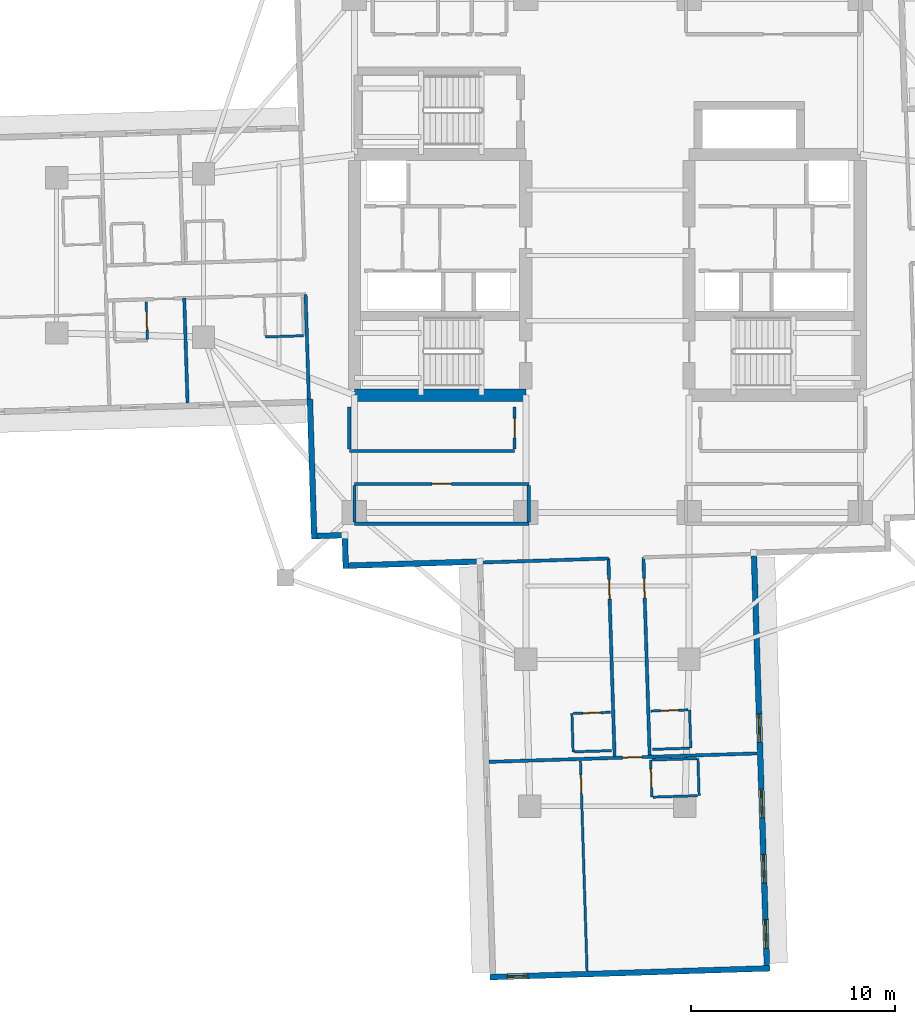
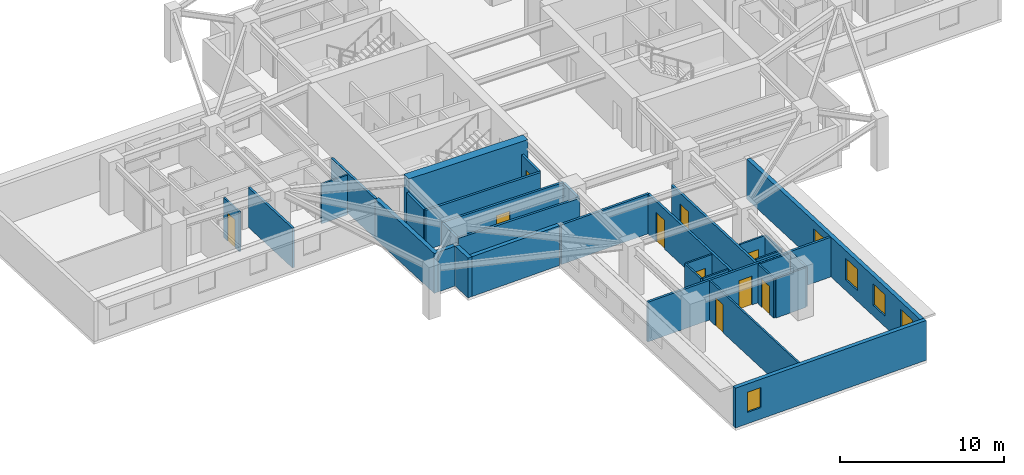
# One storey, part 3 of 14: 33 walls, 10 doors, 5 windows, 15 openings.
"""IFC4 building model written with IfcOpenShell, lengths in metres."""

from ifc_helpers import new_model, si_unit, direction, frame, frame_2d, origin, place, context, subcontext, project, spatial, rectangle, extrude, material, layer, layer_set, type_object, element, fill, save


model = new_model("IFC4")

# Units and contexts
model_context = context("Model", 3, precision=1e-05, world=origin(), true_north=direction((0.0, 1.0)))
body_context = subcontext(model_context, "Body", "Model", "MODEL_VIEW")
ifc_project = project(units=[si_unit("LENGTHUNIT", "METRE"), si_unit("AREAUNIT", "SQUARE_METRE"), si_unit("VOLUMEUNIT", "CUBIC_METRE"), si_unit("PLANEANGLEUNIT", "RADIAN"), si_unit("MASSUNIT", "GRAM", prefix="KILO")], contexts=[model_context])

# Site, building, storey
site_placement = place(None, origin())
site = spatial("IfcSite", under=ifc_project, at=site_placement, CompositionType="ELEMENT")
building_placement = place(site_placement, origin())
building = spatial("IfcBuilding", under=site, at=building_placement, Name="Qingluan Cross Belvedere", CompositionType="ELEMENT")
storey_placement = place(building_placement, frame((0.0, 0.0, 135.89990234375)))
storey = spatial("IfcBuildingStorey", under=building, at=storey_placement, Name="L34", CompositionType="ELEMENT", Elevation=135.89990234375)

# Walls
ifc_material_1 = material(Name="Concrete C60", Category="concrete")
ifc_layer_1 = layer(ifc_material_1, 0.60009765625, Name="CoreShearWall_600")
ifc_layer_set_1 = layer_set([ifc_layer_1], Name="Concrete C60")
wall_type_1 = type_object("IfcWallType", Name="CoreShearWall_600", PredefinedType="SHEAR", material=ifc_layer_set_1)
wall_1_placement = place(storey_placement, frame((-12.39990234375, -6.85009765625, 0.0), z_axis=(0.0, 0.0, 1.0), x_axis=(1.0, 0.0, 0.0)))
element("IfcWall", 1, at=wall_1_placement, inside=storey, type_object=wall_type_1, Name="Split core W shear wall L34-S", PredefinedType="SHEAR", context=body_context, shape_type="SweptSolid", body=[
    extrude(rectangle(XDim=8.39990234375, YDim=0.60009765625, at=frame_2d((4.199951171875, 0.0))), origin(), (0.0, 0.0, 1.0), 3.7001953125),
])
ifc_material_2 = material(Name="Gypsum plasterboard on steel stud acoustic partition", Category="steel")
ifc_layer_2 = layer(ifc_material_2, 0.159912109375, Name="CorridorPartition_160")
ifc_layer_set_2 = layer_set([ifc_layer_2], Name="Gypsum plasterboard on steel stud acoustic partition")
wall_type_2 = type_object("IfcWallType", Name="CorridorPartition_160", PredefinedType="PARTITIONING", material=ifc_layer_set_2)
wall_2_placement = place(storey_placement, frame((-12.39990234375, -13.14990234375, 0.0), z_axis=(0.0, 0.0, 1.0), x_axis=(1.0, 0.0, 0.0)))
element("IfcWall", 2, at=wall_2_placement, inside=storey, type_object=wall_type_2, Name="Partition L34:q_sw:S", PredefinedType="PARTITIONING", context=body_context, shape_type="SweptSolid", body=[
    extrude(rectangle(XDim=8.5498046875, YDim=0.159912109375, at=frame_2d((4.27490234375, 0.0))), origin(), (0.0, 0.0, 1.0), 2.960205078125),
])

# Wall, opening, door
wall_3_placement = place(storey_placement, frame((-12.39990234375, -11.199951171875, 0.0), z_axis=(0.0, 0.0, 1.0), x_axis=(1.0, 0.0, 0.0)))
wall_3 = element("IfcWall", 3, at=wall_3_placement, inside=storey, type_object=wall_type_2, Name="Partition L34:q_sw:N", PredefinedType="PARTITIONING", context=body_context, shape_type="SweptSolid", body=[
    extrude(rectangle(XDim=8.5498046875, YDim=0.159912109375, at=frame_2d((4.27490234375, 0.0))), origin(), (0.0, 0.0, 1.0), 2.960205078125),
])
opening_1_placement = place(wall_3_placement, frame((3.794921875, 0.0, 0.0)))
opening_1 = element("IfcOpeningElement", 4, at=opening_1_placement, cuts=wall_3, Name="Opening GD-10", PredefinedType="OPENING", context=body_context, shape_type="SweptSolid", body=[
    extrude(rectangle(XDim=0.9599609375, YDim=2.14990234375, at=frame_2d((0.47998046875, 1.074951171875))), frame((0.0, 0.08984375, 0.0), z_axis=(0.0, -1.0, 0.0), x_axis=(1.0, 0.0, 0.0)), (0.0, 0.0, 1.0), 0.179931640625),
])
ifc_material_3 = material(Name="Timber oak fire-rated acoustic guestroom door", Category="wood")
door_type_1 = type_object("IfcDoorType", Name="GuestEntryDoor_FD60", OperationType="NOTDEFINED", PredefinedType="DOOR", material=ifc_material_3)
door_1_placement = place(opening_1_placement, origin())
door_1 = element("IfcDoor", 5, at=door_1_placement, inside=storey, type_object=door_type_1, Name="Aromatherapy spa room L34 door", OperationType="SINGLE_SWING_RIGHT", OverallHeight=2.14990234375, OverallWidth=0.9599609375, PredefinedType="DOOR", context=body_context, shape_type="SweptSolid", body=[
    extrude(rectangle(XDim=0.9599609375, YDim=2.14990234375, at=frame_2d((0.47998046875, 1.074951171875))), frame((0.0, 0.02490234375, 0.0), z_axis=(0.0, -1.0, 0.0), x_axis=(1.0, 0.0, 0.0)), (0.0, 0.0, 1.0), 0.050048828125),
])
fill(opening_1, door_1)

# Walls
for number, where, z_axis, x_axis, name in (
    (6, (-12.39990234375, -13.06494140625, 0.0), (0.0, 0.0, 1.0), (0.0, 1.0, 0.0), "Partition L34:q_sw:W"),
    (7, (-3.85009765625, -13.06494140625, 0.0), (0.0, 0.0, 1.0), (0.0, 1.0, 0.0), "Partition L34:q_sw:E"),
):
    element("IfcWall", number, at=place(storey_placement, frame(where, z_axis=z_axis, x_axis=x_axis)), inside=storey, type_object=wall_type_2, Name=name, PredefinedType="PARTITIONING", context=body_context, shape_type="SweptSolid", body=[
        extrude(rectangle(XDim=1.780029296875, YDim=0.159912109375, at=frame_2d((0.89013671875, 0.0))), origin(), (0.0, 0.0, 1.0), 2.960205078125),
    ])
wall_4_placement = place(storey_placement, frame((-12.64990234375, -9.580078125, 0.0), z_axis=(0.0, 0.0, 1.0), x_axis=(1.0, 0.0, 0.0)))
element("IfcWall", 8, at=wall_4_placement, inside=storey, type_object=wall_type_2, Name="Partition L34:rec_st4_w:S", PredefinedType="PARTITIONING", context=body_context, shape_type="SweptSolid", body=[
    extrude(rectangle(XDim=8.099853515625, YDim=0.159912109375, at=frame_2d((4.0498046875, 0.0))), origin(), (0.0, 0.0, 1.0), 2.960205078125),
])
wall_5_placement = place(storey_placement, frame((-12.64990234375, -9.4951171875, 0.0), z_axis=(0.0, 0.0, 1.0), x_axis=(0.0, 1.0, 0.0)))
element("IfcWall", 9, at=wall_5_placement, inside=storey, type_object=wall_type_2, Name="Partition L34:rec_st4_w:W", PredefinedType="PARTITIONING", context=body_context, shape_type="SweptSolid", body=[
    extrude(rectangle(XDim=2.06005859375, YDim=0.159912109375, at=frame_2d((1.030029296875, 0.0))), origin(), (0.0, 0.0, 1.0), 2.960205078125),
])

# Wall, opening, door
wall_6_placement = place(storey_placement, frame((-4.550048828125, -9.4951171875, 0.0), z_axis=(0.0, 0.0, 1.0), x_axis=(0.0, 1.0, 0.0)))
wall_6 = element("IfcWall", 10, at=wall_6_placement, inside=storey, type_object=wall_type_2, Name="Partition L34:rec_st4_w:E", PredefinedType="PARTITIONING", context=body_context, shape_type="SweptSolid", body=[
    extrude(rectangle(XDim=2.06005859375, YDim=0.159912109375, at=frame_2d((1.030029296875, 0.0))), origin(), (0.0, 0.0, 1.0), 2.960205078125),
])
opening_2_placement = place(wall_6_placement, frame((0.550048828125, 0.0, 0.0)))
opening_2 = element("IfcOpeningElement", 11, at=opening_2_placement, cuts=wall_6, Name="Opening GD-10", PredefinedType="OPENING", context=body_context, shape_type="SweptSolid", body=[
    extrude(rectangle(XDim=0.9599609375, YDim=2.14990234375, at=frame_2d((0.47998046875, 1.074951171875))), frame((0.0, 0.08984375, 0.0), z_axis=(0.0, -1.0, 0.0), x_axis=(1.0, 0.0, 0.0)), (0.0, 0.0, 1.0), 0.179931640625),
])
door_2_placement = place(opening_2_placement, origin())
door_2 = element("IfcDoor", 12, at=door_2_placement, inside=storey, type_object=door_type_1, Name="Southwest club reading room L34 door", OperationType="SINGLE_SWING_LEFT", OverallHeight=2.14990234375, OverallWidth=0.9599609375, PredefinedType="DOOR", context=body_context, shape_type="SweptSolid", body=[
    extrude(rectangle(XDim=0.9599609375, YDim=2.14990234375, at=frame_2d((0.47998046875, 1.074951171875))), frame((0.0, 0.02490234375, 0.0), z_axis=(0.0, -1.0, 0.0), x_axis=(1.0, 0.0, 0.0)), (0.0, 0.0, 1.0), 0.050048828125),
])
fill(opening_2, door_2)

# Walls
wall_7_placement = place(storey_placement, frame((-14.79736328125, -1.90576171875, 0.0), z_axis=(0.0, 0.0, 1.0), x_axis=(0.031398124315, -0.999506957349, 0.0)))
element("IfcWall", 13, at=wall_7_placement, inside=storey, type_object=wall_type_2, Name="Partition L34:W:s1", PredefinedType="PARTITIONING", context=body_context, shape_type="SweptSolid", body=[
    extrude(rectangle(XDim=5.1318359375, YDim=0.159912109375, at=frame_2d((2.56591796875, 0.0))), origin(), (0.0, 0.0, 1.0), 2.960205078125),
])
wall_8_placement = place(storey_placement, frame((-20.744384765625, -2.092529296875, 0.0), z_axis=(0.0, 0.0, 1.0), x_axis=(0.031396631422, -0.999507004245, 0.0)))
element("IfcWall", 14, at=wall_8_placement, inside=storey, type_object=wall_type_2, Name="Partition L34:W:d1_0", PredefinedType="PARTITIONING", context=body_context, shape_type="SweptSolid", body=[
    extrude(rectangle(XDim=5.132080078125, YDim=0.159912109375, at=frame_2d((2.56591796875, 0.0))), origin(), (0.0, 0.0, 1.0), 2.960205078125),
])

# Wall, opening, door
wall_9_placement = place(storey_placement, frame((1.765869140625, -14.8017578125, 0.0), z_axis=(0.0, 0.0, 1.0), x_axis=(0.031410762168, -0.999506560269, 0.0)))
wall_9 = element("IfcWall", 15, at=wall_9_placement, inside=storey, type_object=wall_type_2, Name="Partition L34:S:c0", PredefinedType="PARTITIONING", context=body_context, shape_type="SweptSolid", body=[
    extrude(rectangle(XDim=9.7001953125, YDim=0.159912109375, at=frame_2d((4.85009765625, 0.0))), origin(), (0.0, 0.0, 1.0), 2.960205078125),
])
opening_3_placement = place(wall_9_placement, frame((1.032958984375, 0.0, 0.0)))
opening_3 = element("IfcOpeningElement", 16, at=opening_3_placement, cuts=wall_9, Name="Opening GD-10", PredefinedType="OPENING", context=body_context, shape_type="SweptSolid", body=[
    extrude(rectangle(XDim=0.9599609375, YDim=2.14990234375, at=frame_2d((0.47998046875, 1.074951171875))), frame((0.0, 0.08984375, 0.0), z_axis=(0.0, -1.0, 0.0), x_axis=(1.0, 0.0, 0.0)), (0.0, 0.0, 1.0), 0.179931640625),
])
door_3_placement = place(opening_3_placement, origin())
door_3 = element("IfcDoor", 17, at=door_3_placement, inside=storey, type_object=door_type_1, Name="Guest entry fire door 3415", OperationType="SINGLE_SWING_RIGHT", OverallHeight=2.14990234375, OverallWidth=0.9599609375, PredefinedType="DOOR", context=body_context, shape_type="SweptSolid", body=[
    extrude(rectangle(XDim=0.9599609375, YDim=2.14990234375, at=frame_2d((0.47998046875, 1.074951171875))), frame((0.0, 0.02490234375, 0.0), z_axis=(0.0, -1.0, 0.0), x_axis=(1.0, 0.0, 0.0)), (0.0, 0.0, 1.0), 0.050048828125),
])
fill(opening_3, door_3)

wall_10_placement = place(storey_placement, frame((0.046630859375, -14.85595703125, 0.0), z_axis=(0.0, 0.0, 1.0), x_axis=(0.031411552371, -0.999506535435, 0.0)))
wall_10 = element("IfcWall", 18, at=wall_10_placement, inside=storey, type_object=wall_type_2, Name="Partition L34:S:c1", PredefinedType="PARTITIONING", context=body_context, shape_type="SweptSolid", body=[
    extrude(rectangle(XDim=9.699951171875, YDim=0.159912109375, at=frame_2d((4.85009765625, 0.0))), origin(), (0.0, 0.0, 1.0), 2.960205078125),
])
opening_4_placement = place(wall_10_placement, frame((1.032958984375, 0.0, 0.0)))
opening_4 = element("IfcOpeningElement", 19, at=opening_4_placement, cuts=wall_10, Name="Opening GD-10", PredefinedType="OPENING", context=body_context, shape_type="SweptSolid", body=[
    extrude(rectangle(XDim=0.9599609375, YDim=2.14990234375, at=frame_2d((0.47998046875, 1.074951171875))), frame((0.0, 0.08984375, 0.0), z_axis=(0.0, -1.0, 0.0), x_axis=(1.0, 0.0, 0.0)), (0.0, 0.0, 1.0), 0.179931640625),
])
door_4_placement = place(opening_4_placement, origin())
door_4 = element("IfcDoor", 20, at=door_4_placement, inside=storey, type_object=door_type_1, Name="Guest entry fire door 3416", OperationType="SINGLE_SWING_RIGHT", OverallHeight=2.14990234375, OverallWidth=0.9599609375, PredefinedType="DOOR", context=body_context, shape_type="SweptSolid", body=[
    extrude(rectangle(XDim=0.9599609375, YDim=2.14990234375, at=frame_2d((0.47998046875, 1.074951171875))), frame((0.0, 0.02490234375, 0.0), z_axis=(0.0, -1.0, 0.0), x_axis=(1.0, 0.0, 0.0)), (0.0, 0.0, 1.0), 0.050048828125),
])
fill(opening_4, door_4)

# Wall
wall_11_placement = place(storey_placement, frame((0.046630859375, -14.85595703125, 0.0), z_axis=(0.0, 0.0, 1.0), x_axis=(-0.999507224741, -0.031389611199, 0.0)))
element("IfcWall", 21, at=wall_11_placement, inside=storey, type_object=wall_type_2, Name="Partition L34:S:s1", PredefinedType="PARTITIONING", context=body_context, shape_type="SweptSolid", body=[
    extrude(rectangle(XDim=6.300048828125, YDim=0.159912109375, at=frame_2d((3.14990234375, 0.0))), origin(), (0.0, 0.0, 1.0), 2.960205078125),
])

# Wall, opening, door
wall_12_placement = place(storey_placement, frame((-5.795166015625, -24.82421875, 0.0), z_axis=(0.0, 0.0, 1.0), x_axis=(0.999507189267, 0.031390740738, 0.0)))
wall_12 = element("IfcWall", 22, at=wall_12_placement, inside=storey, type_object=wall_type_2, Name="Partition L34:Scap:in", PredefinedType="PARTITIONING", context=body_context, shape_type="SweptSolid", body=[
    extrude(rectangle(XDim=13.14404296875, YDim=0.159912109375, at=frame_2d((6.572021484375, 0.0))), origin(), (0.0, 0.0, 1.0), 2.960205078125),
])
opening_5_placement = place(wall_12_placement, frame((6.531982421875, 0.0, 0.0)))
opening_5 = element("IfcOpeningElement", 23, at=opening_5_placement, cuts=wall_12, Name="Opening GD-10", PredefinedType="OPENING", context=body_context, shape_type="SweptSolid", body=[
    extrude(rectangle(XDim=0.9599609375, YDim=2.14990234375, at=frame_2d((0.47998046875, 1.074951171875))), frame((0.0, 0.08984375, 0.0), z_axis=(0.0, -1.0, 0.0), x_axis=(1.0, 0.0, 0.0)), (0.0, 0.0, 1.0), 0.179931640625),
])
door_5_placement = place(opening_5_placement, origin())
door_5 = element("IfcDoor", 24, at=door_5_placement, inside=storey, type_object=door_type_1, Name="Horizon corner suite door L34S", OperationType="SINGLE_SWING_LEFT", OverallHeight=2.14990234375, OverallWidth=0.9599609375, PredefinedType="DOOR", context=body_context, shape_type="SweptSolid", body=[
    extrude(rectangle(XDim=0.9599609375, YDim=2.14990234375, at=frame_2d((0.47998046875, 1.074951171875))), frame((0.0, 0.02490234375, 0.0), z_axis=(0.0, -1.0, 0.0), x_axis=(1.0, 0.0, 0.0)), (0.0, 0.0, 1.0), 0.050048828125),
])
fill(opening_5, door_5)

# Wall
ifc_material_4 = material(Name="Moisture-resistant gypsum board lining")
ifc_layer_3 = layer(ifc_material_4, 0.1201171875, Name="EnsuiteWetPartition_120")
ifc_layer_set_3 = layer_set([ifc_layer_3], Name="Moisture-resistant gypsum board lining")
wall_type_3 = type_object("IfcWallType", Name="EnsuiteWetPartition_120", PredefinedType="PARTITIONING", material=ifc_layer_set_3)
wall_13_placement = place(storey_placement, frame((-14.893798828125, -3.934814453125, 0.0), z_axis=(0.0, 0.0, 1.0), x_axis=(-0.999505975261, -0.031429371883, 0.0)))
element("IfcWall", 25, at=wall_13_placement, inside=storey, type_object=wall_type_3, Name="Partition L34:W:bc1_0", PredefinedType="PARTITIONING", context=body_context, shape_type="SweptSolid", body=[
    extrude(rectangle(XDim=1.8798828125, YDim=0.1201171875, at=frame_2d((0.93994140625, 0.0))), origin(), (0.0, 0.0, 1.0), 2.960205078125),
])

# Wall, opening, door
wall_14_placement = place(storey_placement, frame((-22.552001953125, -4.1103515625, 0.0), z_axis=(0.0, 0.0, 1.0), x_axis=(-0.031389704724, 0.999507221803, 0.0)))
wall_14 = element("IfcWall", 26, at=wall_14_placement, inside=storey, type_object=wall_type_3, Name="Partition L34:W:bs1_1", PredefinedType="PARTITIONING", context=body_context, shape_type="SweptSolid", body=[
    extrude(rectangle(XDim=1.820068359375, YDim=0.1201171875, at=frame_2d((0.91015625, 0.0))), origin(), (0.0, 0.0, 1.0), 2.960205078125),
])
opening_6_placement = place(wall_14_placement, frame((0.469970703125, 0.0, 0.0)))
opening_6 = element("IfcOpeningElement", 27, at=opening_6_placement, cuts=wall_14, Name="Opening BD-09", PredefinedType="OPENING", context=body_context, shape_type="SweptSolid", body=[
    extrude(rectangle(XDim=0.8798828125, YDim=2.10009765625, at=frame_2d((0.43994140625, 1.050048828125))), frame((0.0, 0.070068359375, 0.0), z_axis=(0.0, -1.0, 0.0), x_axis=(1.0, 0.0, 0.0)), (0.0, 0.0, 1.0), 0.14013671875),
])
ifc_material_5 = material(Name="Moisture-sealed timber en-suite door", Category="wood")
door_type_2 = type_object("IfcDoorType", Name="BathroomDoor_880", OperationType="NOTDEFINED", PredefinedType="DOOR", material=ifc_material_5)
door_6_placement = place(opening_6_placement, origin())
door_6 = element("IfcDoor", 28, at=door_6_placement, inside=storey, type_object=door_type_2, Name="Bathroom door 3410", OperationType="SINGLE_SWING_LEFT", OverallHeight=2.10009765625, OverallWidth=0.8798828125, PredefinedType="DOOR", context=body_context, shape_type="SweptSolid", body=[
    extrude(rectangle(XDim=0.8798828125, YDim=2.10009765625, at=frame_2d((0.43994140625, 1.050048828125))), frame((0.0, 0.02490234375, 0.0), z_axis=(0.0, -1.0, 0.0), x_axis=(1.0, 0.0, 0.0)), (0.0, 0.0, 1.0), 0.050048828125),
])
fill(opening_6, door_6)

wall_15_placement = place(storey_placement, frame((2.142578125, -22.333740234375, 0.0), z_axis=(0.0, 0.0, 1.0), x_axis=(0.999507221803, 0.031389704724, 0.0)))
wall_15 = element("IfcWall", 29, at=wall_15_placement, inside=storey, type_object=wall_type_3, Name="Partition L34:S:bs0_0", PredefinedType="PARTITIONING", context=body_context, shape_type="SweptSolid", body=[
    extrude(rectangle(XDim=1.820068359375, YDim=0.1201171875, at=frame_2d((0.91015625, 0.0))), origin(), (0.0, 0.0, 1.0), 2.960205078125),
])
opening_7_placement = place(wall_15_placement, frame((0.469970703125, 0.0, 0.0)))
opening_7 = element("IfcOpeningElement", 30, at=opening_7_placement, cuts=wall_15, Name="Opening BD-09", PredefinedType="OPENING", context=body_context, shape_type="SweptSolid", body=[
    extrude(rectangle(XDim=0.8798828125, YDim=2.10009765625, at=frame_2d((0.43994140625, 1.050048828125))), frame((0.0, 0.070068359375, 0.0), z_axis=(0.0, -1.0, 0.0), x_axis=(1.0, 0.0, 0.0)), (0.0, 0.0, 1.0), 0.14013671875),
])
door_7_placement = place(opening_7_placement, origin())
door_7 = element("IfcDoor", 31, at=door_7_placement, inside=storey, type_object=door_type_2, Name="Bathroom door 3415", OperationType="SINGLE_SWING_LEFT", OverallHeight=2.10009765625, OverallWidth=0.8798828125, PredefinedType="DOOR", context=body_context, shape_type="SweptSolid", body=[
    extrude(rectangle(XDim=0.8798828125, YDim=2.10009765625, at=frame_2d((0.43994140625, 1.050048828125))), frame((0.0, 0.02490234375, 0.0), z_axis=(0.0, -1.0, 0.0), x_axis=(1.0, 0.0, 0.0)), (0.0, 0.0, 1.0), 0.050048828125),
])
fill(opening_7, door_7)

# Walls
wall_16_placement = place(storey_placement, frame((2.20166015625, -24.212890625, 0.0), z_axis=(0.0, 0.0, 1.0), x_axis=(0.999503004171, 0.03152371574, 0.0)))
element("IfcWall", 32, at=wall_16_placement, inside=storey, type_object=wall_type_3, Name="Partition L34:S:bw0_0", PredefinedType="PARTITIONING", context=body_context, shape_type="SweptSolid", body=[
    extrude(rectangle(XDim=1.820068359375, YDim=0.1201171875, at=frame_2d((0.91015625, 0.0))), origin(), (0.0, 0.0, 1.0), 2.960205078125),
])
wall_17_placement = place(storey_placement, frame((4.026611328125, -22.2744140625, 0.0), z_axis=(0.0, 0.0, 1.0), x_axis=(0.031425292588, -0.999506103526, 0.0)))
element("IfcWall", 33, at=wall_17_placement, inside=storey, type_object=wall_type_3, Name="Partition L34:S:bn0_0", PredefinedType="PARTITIONING", context=body_context, shape_type="SweptSolid", body=[
    extrude(rectangle(XDim=1.880126953125, YDim=0.1201171875, at=frame_2d((0.93994140625, 0.0))), origin(), (0.0, 0.0, 1.0), 2.960205078125),
])

# Wall, opening, door
wall_18_placement = place(storey_placement, frame((-1.675537109375, -22.45361328125, 0.0), z_axis=(0.0, 0.0, 1.0), x_axis=(0.999507221803, 0.031389704724, 0.0)))
wall_18 = element("IfcWall", 34, at=wall_18_placement, inside=storey, type_object=wall_type_3, Name="Partition L34:S:bs1_0", PredefinedType="PARTITIONING", context=body_context, shape_type="SweptSolid", body=[
    extrude(rectangle(XDim=1.820068359375, YDim=0.1201171875, at=frame_2d((0.91015625, 0.0))), origin(), (0.0, 0.0, 1.0), 2.960205078125),
])
opening_8_placement = place(wall_18_placement, frame((0.469970703125, 0.0, 0.0)))
opening_8 = element("IfcOpeningElement", 35, at=opening_8_placement, cuts=wall_18, Name="Opening BD-09", PredefinedType="OPENING", context=body_context, shape_type="SweptSolid", body=[
    extrude(rectangle(XDim=0.8798828125, YDim=2.10009765625, at=frame_2d((0.43994140625, 1.050048828125))), frame((0.0, 0.070068359375, 0.0), z_axis=(0.0, -1.0, 0.0), x_axis=(1.0, 0.0, 0.0)), (0.0, 0.0, 1.0), 0.14013671875),
])
door_8_placement = place(opening_8_placement, origin())
door_8 = element("IfcDoor", 36, at=door_8_placement, inside=storey, type_object=door_type_2, Name="Bathroom door 3416", OperationType="SINGLE_SWING_LEFT", OverallHeight=2.10009765625, OverallWidth=0.8798828125, PredefinedType="DOOR", context=body_context, shape_type="SweptSolid", body=[
    extrude(rectangle(XDim=0.8798828125, YDim=2.10009765625, at=frame_2d((0.43994140625, 1.050048828125))), frame((0.0, 0.02490234375, 0.0), z_axis=(0.0, -1.0, 0.0), x_axis=(1.0, 0.0, 0.0)), (0.0, 0.0, 1.0), 0.050048828125),
])
fill(opening_8, door_8)

# Walls
wall_19_placement = place(storey_placement, frame((-1.616455078125, -24.332763671875, 0.0), z_axis=(0.0, 0.0, 1.0), x_axis=(0.999507221803, 0.031389704724, 0.0)))
element("IfcWall", 37, at=wall_19_placement, inside=storey, type_object=wall_type_3, Name="Partition L34:S:bw1_0", PredefinedType="PARTITIONING", context=body_context, shape_type="SweptSolid", body=[
    extrude(rectangle(XDim=1.820068359375, YDim=0.1201171875, at=frame_2d((0.91015625, 0.0))), origin(), (0.0, 0.0, 1.0), 2.960205078125),
])
wall_20_placement = place(storey_placement, frame((-1.740478515625, -22.455810546875, 0.0), z_axis=(0.0, 0.0, 1.0), x_axis=(0.031429371883, -0.999505975261, 0.0)))
element("IfcWall", 38, at=wall_20_placement, inside=storey, type_object=wall_type_3, Name="Partition L34:S:bc1_0", PredefinedType="PARTITIONING", context=body_context, shape_type="SweptSolid", body=[
    extrude(rectangle(XDim=1.8798828125, YDim=0.1201171875, at=frame_2d((0.93994140625, 0.0))), origin(), (0.0, 0.0, 1.0), 2.960205078125),
])

# Wall, opening, door
wall_21_placement = place(storey_placement, frame((-1.322509765625, -24.773681640625, 0.0), z_axis=(0.0, 0.0, 1.0), x_axis=(0.031416574993, -0.999506377576, 0.0)))
wall_21 = element("IfcWall", 39, at=wall_21_placement, inside=storey, type_object=wall_type_3, Name="Partition L34:Scap:m2", PredefinedType="PARTITIONING", context=body_context, shape_type="SweptSolid", body=[
    extrude(rectangle(XDim=10.312255859375, YDim=0.1201171875, at=frame_2d((5.15625, 0.0))), origin(), (0.0, 0.0, 1.0), 2.960205078125),
])
opening_9_placement = place(wall_21_placement, frame((0.699951171875, 0.0, 0.0)))
opening_9 = element("IfcOpeningElement", 40, at=opening_9_placement, cuts=wall_21, Name="Opening BD-89", PredefinedType="OPENING", context=body_context, shape_type="SweptSolid", body=[
    extrude(rectangle(XDim=0.89990234375, YDim=2.10009765625, at=frame_2d((0.449951171875, 1.050048828125))), frame((0.0, 0.070068359375, 0.0), z_axis=(0.0, -1.0, 0.0), x_axis=(1.0, 0.0, 0.0)), (0.0, 0.0, 1.0), 0.14013671875),
])
ifc_material_6 = material(Name="Timber acoustic study door", Category="wood")
door_type_3 = type_object("IfcDoorType", Name="SuiteStudyDoor_900", OperationType="NOTDEFINED", PredefinedType="DOOR", material=ifc_material_6)
door_9_placement = place(opening_9_placement, origin())
door_9 = element("IfcDoor", 41, at=door_9_placement, inside=storey, type_object=door_type_3, Name="Suite private study door L34S", OperationType="SINGLE_SWING_LEFT", OverallHeight=2.10009765625, OverallWidth=0.89990234375, PredefinedType="DOOR", context=body_context, shape_type="SweptSolid", body=[
    extrude(rectangle(XDim=0.89990234375, YDim=2.10009765625, at=frame_2d((0.449951171875, 1.050048828125))), frame((0.0, 0.02490234375, 0.0), z_axis=(0.0, -1.0, 0.0), x_axis=(1.0, 0.0, 0.0)), (0.0, 0.0, 1.0), 0.050048828125),
])
fill(opening_9, door_9)

wall_22_placement = place(storey_placement, frame((2.117919921875, -24.735595703125, 0.0), z_axis=(0.0, 0.0, 1.0), x_axis=(0.03152371574, -0.999503004171, 0.0)))
wall_22 = element("IfcWall", 42, at=wall_22_placement, inside=storey, type_object=wall_type_3, Name="Partition L34:Scap:b2s", PredefinedType="PARTITIONING", context=body_context, shape_type="SweptSolid", body=[
    extrude(rectangle(XDim=1.820068359375, YDim=0.1201171875, at=frame_2d((0.91015625, 0.0))), origin(), (0.0, 0.0, 1.0), 2.960205078125),
])
opening_10_placement = place(wall_22_placement, frame((0.449951171875, 0.0, 0.0)))
opening_10 = element("IfcOpeningElement", 43, at=opening_10_placement, cuts=wall_22, Name="Opening BD-09", PredefinedType="OPENING", context=body_context, shape_type="SweptSolid", body=[
    extrude(rectangle(XDim=0.8798828125, YDim=2.10009765625, at=frame_2d((0.43994140625, 1.050048828125))), frame((0.0, 0.070068359375, 0.0), z_axis=(0.0, -1.0, 0.0), x_axis=(1.0, 0.0, 0.0)), (0.0, 0.0, 1.0), 0.14013671875),
])
door_10_placement = place(opening_10_placement, origin())
door_10 = element("IfcDoor", 44, at=door_10_placement, inside=storey, type_object=door_type_2, Name="En-suite bathroom door L34S", OperationType="SINGLE_SWING_RIGHT", OverallHeight=2.10009765625, OverallWidth=0.8798828125, PredefinedType="DOOR", context=body_context, shape_type="SweptSolid", body=[
    extrude(rectangle(XDim=0.8798828125, YDim=2.10009765625, at=frame_2d((0.43994140625, 1.050048828125))), frame((0.0, 0.02490234375, 0.0), z_axis=(0.0, -1.0, 0.0), x_axis=(1.0, 0.0, 0.0)), (0.0, 0.0, 1.0), 0.050048828125),
])
fill(opening_10, door_10)

# Walls
wall_23_placement = place(storey_placement, frame((4.43701171875, -24.662841796875, 0.0), z_axis=(0.0, 0.0, 1.0), x_axis=(0.031255692016, -0.999511421504, 0.0)))
element("IfcWall", 45, at=wall_23_placement, inside=storey, type_object=wall_type_3, Name="Partition L34:Scap:b2b", PredefinedType="PARTITIONING", context=body_context, shape_type="SweptSolid", body=[
    extrude(rectangle(XDim=1.820068359375, YDim=0.1201171875, at=frame_2d((0.91015625, 0.0))), origin(), (0.0, 0.0, 1.0), 2.960205078125),
])
for number, where, z_axis, x_axis, name in (
    (46, (2.18798828125, -24.7333984375, 0.0), (0.0, 0.0, 1.0), (0.999508244557, 0.031357121398, 0.0), "Partition L34:Scap:b2a"),
    (47, (2.2451171875, -26.552490234375, 0.0), (0.0, 0.0, 1.0), (0.999508244557, 0.031357121398, 0.0), "Partition L34:Scap:b2n"),
):
    element("IfcWall", number, at=place(storey_placement, frame(where, z_axis=z_axis, x_axis=x_axis)), inside=storey, type_object=wall_type_3, Name=name, PredefinedType="PARTITIONING", context=body_context, shape_type="SweptSolid", body=[
        extrude(rectangle(XDim=2.179931640625, YDim=0.1201171875, at=frame_2d((1.08984375, 0.0))), origin(), (0.0, 0.0, 1.0), 2.960205078125),
    ])

# Wall, openings, windows
ifc_material_7 = material(Name="Precast concrete C45", Category="concrete")
ifc_layer_4 = layer(ifc_material_7, 0.280029296875, Name="PrecastFacadeWall_280")
ifc_layer_set_4 = layer_set([ifc_layer_4], Name="Precast concrete C45")
wall_type_4 = type_object("IfcWallType", Name="PrecastFacadeWall_280", PredefinedType="STANDARD", material=ifc_layer_set_4)
wall_24_placement = place(storey_placement, frame((7.8173828125, -34.8115234375, 0.0), z_axis=(0.0, 0.0, 1.0), x_axis=(-0.031410322165, 0.999506574096, 0.0)))
wall_24 = element("IfcWall", 48, at=wall_24_placement, inside=storey, type_object=wall_type_4, Name="Facade wall L34-SB", PredefinedType="STANDARD", context=body_context, shape_type="SweptSolid", body=[
    extrude(rectangle(XDim=20.10009765625, YDim=0.280029296875, at=frame_2d((10.050048828125, 0.0))), origin(), (0.0, 0.0, 1.0), 2.97021484375),
])
opening_11_placement = place(wall_24_placement, frame((0.85009765625, 0.0, 0.800048828125)))
opening_11 = element("IfcOpeningElement", 49, at=opening_11_placement, cuts=wall_24, Name="Opening W-01", PredefinedType="OPENING", context=body_context, shape_type="SweptSolid", body=[
    extrude(rectangle(XDim=1.39990234375, YDim=1.60009765625, at=frame_2d((0.699951171875, 0.800048828125))), frame((0.0, 0.14990234375, 0.0), z_axis=(0.0, -1.0, 0.0), x_axis=(1.0, 0.0, 0.0)), (0.0, 0.0, 1.0), 0.300048828125),
])
opening_12_placement = place(wall_24_placement, frame((4.050048828125, 0.0, 0.800048828125)))
opening_12 = element("IfcOpeningElement", 50, at=opening_12_placement, cuts=wall_24, Name="Opening W-01", PredefinedType="OPENING", context=body_context, shape_type="SweptSolid", body=[
    extrude(rectangle(XDim=1.39990234375, YDim=1.60009765625, at=frame_2d((0.699951171875, 0.800048828125))), frame((0.0, 0.14990234375, 0.0), z_axis=(0.0, -1.0, 0.0), x_axis=(1.0, 0.0, 0.0)), (0.0, 0.0, 1.0), 0.300048828125),
])
opening_13_placement = place(wall_24_placement, frame((7.25, 0.0, 0.800048828125)))
opening_13 = element("IfcOpeningElement", 51, at=opening_13_placement, cuts=wall_24, Name="Opening W-01", PredefinedType="OPENING", context=body_context, shape_type="SweptSolid", body=[
    extrude(rectangle(XDim=1.39990234375, YDim=1.60009765625, at=frame_2d((0.699951171875, 0.800048828125))), frame((0.0, 0.14990234375, 0.0), z_axis=(0.0, -1.0, 0.0), x_axis=(1.0, 0.0, 0.0)), (0.0, 0.0, 1.0), 0.300048828125),
])
opening_14_placement = place(wall_24_placement, frame((10.949951171875, 0.0, 0.800048828125)))
opening_14 = element("IfcOpeningElement", 52, at=opening_14_placement, cuts=wall_24, Name="Opening W-01", PredefinedType="OPENING", context=body_context, shape_type="SweptSolid", body=[
    extrude(rectangle(XDim=1.39990234375, YDim=1.60009765625, at=frame_2d((0.699951171875, 0.800048828125))), frame((0.0, 0.14990234375, 0.0), z_axis=(0.0, -1.0, 0.0), x_axis=(1.0, 0.0, 0.0)), (0.0, 0.0, 1.0), 0.300048828125),
])
ifc_material_8 = material(Name="Thermally broken triple Low-E glass in aluminium frame", Category="aluminium")
window_type_1 = type_object("IfcWindowType", Name="TriRibbonWin_1400x1600", PartitioningType="SINGLE_PANEL", PredefinedType="WINDOW", material=ifc_material_8)
window_1_placement = place(opening_11_placement, origin())
window_1 = element("IfcWindow", 53, at=window_1_placement, inside=storey, type_object=window_type_1, Name="Ribbon window L34-SB-1", OverallHeight=1.60009765625, OverallWidth=1.39990234375, PartitioningType="SINGLE_PANEL", PredefinedType="WINDOW", context=body_context, shape_type="SweptSolid", body=[
    extrude(rectangle(XDim=1.39990234375, YDim=1.60009765625, at=frame_2d((0.699951171875, 0.800048828125))), frame((0.0, 0.030029296875, 0.0), z_axis=(0.0, -1.0, 0.0), x_axis=(1.0, 0.0, 0.0)), (0.0, 0.0, 1.0), 0.06005859375),
])
fill(opening_11, window_1)
window_2_placement = place(opening_12_placement, origin())
window_2 = element("IfcWindow", 54, at=window_2_placement, inside=storey, type_object=window_type_1, Name="Ribbon window L34-SB-2", OverallHeight=1.60009765625, OverallWidth=1.39990234375, PartitioningType="SINGLE_PANEL", PredefinedType="WINDOW", context=body_context, shape_type="SweptSolid", body=[
    extrude(rectangle(XDim=1.39990234375, YDim=1.60009765625, at=frame_2d((0.699951171875, 0.800048828125))), frame((0.0, 0.030029296875, 0.0), z_axis=(0.0, -1.0, 0.0), x_axis=(1.0, 0.0, 0.0)), (0.0, 0.0, 1.0), 0.06005859375),
])
fill(opening_12, window_2)
window_3_placement = place(opening_13_placement, origin())
window_3 = element("IfcWindow", 55, at=window_3_placement, inside=storey, type_object=window_type_1, Name="Ribbon window L34-SB-3", OverallHeight=1.60009765625, OverallWidth=1.39990234375, PartitioningType="SINGLE_PANEL", PredefinedType="WINDOW", context=body_context, shape_type="SweptSolid", body=[
    extrude(rectangle(XDim=1.39990234375, YDim=1.60009765625, at=frame_2d((0.699951171875, 0.800048828125))), frame((0.0, 0.030029296875, 0.0), z_axis=(0.0, -1.0, 0.0), x_axis=(1.0, 0.0, 0.0)), (0.0, 0.0, 1.0), 0.06005859375),
])
fill(opening_13, window_3)
window_4_placement = place(opening_14_placement, origin())
window_4 = element("IfcWindow", 56, at=window_4_placement, inside=storey, type_object=window_type_1, Name="Ribbon window L34-SB-4", OverallHeight=1.60009765625, OverallWidth=1.39990234375, PartitioningType="SINGLE_PANEL", PredefinedType="WINDOW", context=body_context, shape_type="SweptSolid", body=[
    extrude(rectangle(XDim=1.39990234375, YDim=1.60009765625, at=frame_2d((0.699951171875, 0.800048828125))), frame((0.0, 0.030029296875, 0.0), z_axis=(0.0, -1.0, 0.0), x_axis=(1.0, 0.0, 0.0)), (0.0, 0.0, 1.0), 0.06005859375),
])
fill(opening_14, window_4)

# Wall, opening, window
wall_25_placement = place(storey_placement, frame((-5.751708984375, -35.378173828125, 0.0), z_axis=(0.0, 0.0, 1.0), x_axis=(0.999506679556, 0.031406966164, 0.0)))
wall_25 = element("IfcWall", 57, at=wall_25_placement, inside=storey, type_object=wall_type_4, Name="Arm tip precast facade wall L34-S", PredefinedType="STANDARD", context=body_context, shape_type="SweptSolid", body=[
    extrude(rectangle(XDim=13.72021484375, YDim=0.280029296875, at=frame_2d((6.860107421875, 0.0))), origin(), (0.0, 0.0, 1.0), 2.97021484375),
])
opening_15_placement = place(wall_25_placement, frame((0.85009765625, 0.0, 0.85009765625)))
opening_15 = element("IfcOpeningElement", 58, at=opening_15_placement, cuts=wall_25, Name="Opening W-03", PredefinedType="OPENING", context=body_context, shape_type="SweptSolid", body=[
    extrude(rectangle(XDim=1.0, YDim=1.5, at=frame_2d((0.5, 0.75))), frame((0.0, 0.14990234375, 0.0), z_axis=(0.0, -1.0, 0.0), x_axis=(1.0, 0.0, 0.0)), (0.0, 0.0, 1.0), 0.300048828125),
])
ifc_material_9 = material(Name="Thermally broken triple Low-E glass in aluminium frame", Category="aluminium")
window_type_2 = type_object("IfcWindowType", Name="TriApexWin_1000x1500", PartitioningType="SINGLE_PANEL", PredefinedType="WINDOW", material=ifc_material_9)
window_5_placement = place(opening_15_placement, origin())
window_5 = element("IfcWindow", 59, at=window_5_placement, inside=storey, type_object=window_type_2, Name="Arm tip triangular window L34-S", OverallHeight=1.5, OverallWidth=1.0, PartitioningType="SINGLE_PANEL", PredefinedType="WINDOW", context=body_context, shape_type="SweptSolid", body=[
    extrude(rectangle(XDim=1.0, YDim=1.5, at=frame_2d((0.5, 0.75))), frame((0.0, 0.030029296875, 0.0), z_axis=(0.0, -1.0, 0.0), x_axis=(1.0, 0.0, 0.0)), (0.0, 0.0, 1.0), 0.06005859375),
])
fill(opening_15, window_5)

# Walls
wall_26_placement = place(storey_placement, frame((-14.5859375, -7.04150390625, 0.0), z_axis=(0.0, 0.0, 1.0), x_axis=(0.031389189386, -0.999507237988, 0.0)))
element("IfcWall", 60, at=wall_26_placement, inside=storey, type_object=wall_type_4, Name="Corner wall L34-SW1", PredefinedType="STANDARD", context=body_context, shape_type="SweptSolid", body=[
    extrude(rectangle(XDim=6.860107421875, YDim=0.280029296875, at=frame_2d((3.43017578125, 0.0))), origin(), (0.0, 0.0, 1.0), 2.97021484375),
])
wall_27_placement = place(storey_placement, frame((-14.235107421875, -13.75390625, 0.0), z_axis=(0.0, 0.0, 1.0), x_axis=(0.999506398264, 0.031415916822, 0.0)))
element("IfcWall", 61, at=wall_27_placement, inside=storey, type_object=wall_type_4, Name="Corner wall L34-SW2", PredefinedType="STANDARD", context=body_context, shape_type="SweptSolid", body=[
    extrude(rectangle(XDim=1.219970703125, YDim=0.280029296875, at=frame_2d((0.60986328125, 0.0))), origin(), (0.0, 0.0, 1.0), 2.97021484375),
])
wall_28_placement = place(storey_placement, frame((-12.871337890625, -13.85107421875, 0.0), z_axis=(0.0, 0.0, 1.0), x_axis=(0.031412596484, -0.999506502621, 0.0)))
element("IfcWall", 62, at=wall_28_placement, inside=storey, type_object=wall_type_4, Name="Corner wall L34-SW3", PredefinedType="STANDARD", context=body_context, shape_type="SweptSolid", body=[
    extrude(rectangle(XDim=1.5, YDim=0.280029296875, at=frame_2d((0.75, 0.0))), origin(), (0.0, 0.0, 1.0), 2.97021484375),
])
wall_29_placement = place(storey_placement, frame((-12.688720703125, -15.2060546875, 0.0), z_axis=(0.0, 0.0, 1.0), x_axis=(0.999507262922, 0.031388395416, 0.0)))
element("IfcWall", 63, at=wall_29_placement, inside=storey, type_object=wall_type_4, Name="Corner wall L34-SW4", PredefinedType="STANDARD", context=body_context, shape_type="SweptSolid", body=[
    extrude(rectangle(XDim=6.30029296875, YDim=0.280029296875, at=frame_2d((3.150146484375, 0.0))), origin(), (0.0, 0.0, 1.0), 2.97021484375),
])

save(model, "model.ifc")
